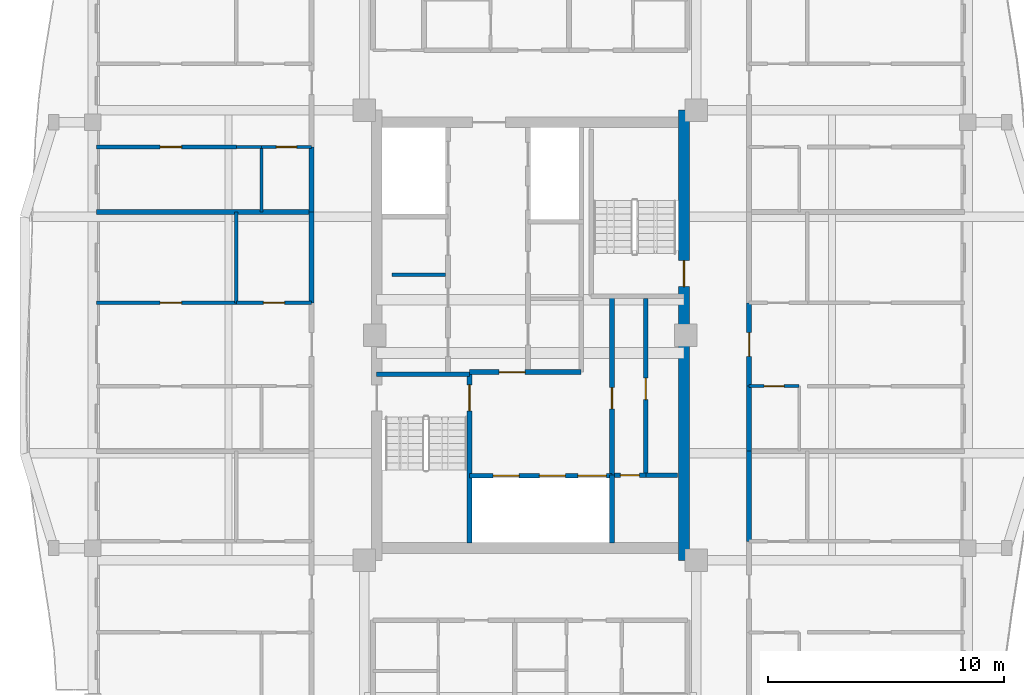
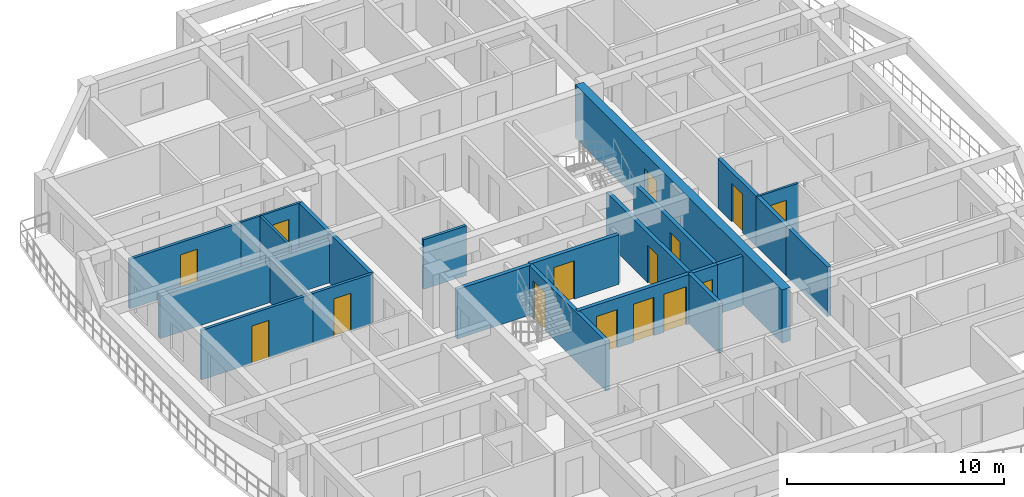
# One storey, part 4 of 14: 25 walls, 15 doors, 15 openings.
"""IFC4 building model written with IfcOpenShell, lengths in metres."""

from ifc_helpers import new_model, si_unit, direction, frame, frame_2d, origin, place, context, subcontext, project, spatial, rectangle, extrude, source, transform, mapped, material, layer, layer_set, type_object, element, fill, save


model = new_model("IFC4")

# Units and contexts
model_context = context("Model", 3, precision=1e-05, world=origin(), true_north=direction((0.0, 1.0)))
body_context = subcontext(model_context, "Body", "Model", "MODEL_VIEW")
ifc_project = project(units=[si_unit("LENGTHUNIT", "METRE"), si_unit("AREAUNIT", "SQUARE_METRE"), si_unit("VOLUMEUNIT", "CUBIC_METRE"), si_unit("PLANEANGLEUNIT", "RADIAN"), si_unit("MASSUNIT", "GRAM", prefix="KILO")], contexts=[model_context])

# Site, building, storey
site_placement = place(None, origin())
site = spatial("IfcSite", under=ifc_project, at=site_placement, CompositionType="ELEMENT")
building_placement = place(site_placement, origin())
building = spatial("IfcBuilding", under=site, at=building_placement, Name="Saelheon Loggia Tower", CompositionType="ELEMENT")
storey_placement = place(building_placement, frame((0.0, 0.0, 210.300048828125)))
storey = spatial("IfcBuildingStorey", under=building, at=storey_placement, Name="L65", CompositionType="ELEMENT", Elevation=210.300048828125)

# Wall, opening, door
ifc_material_1 = material(Name="Concrete C45/55", Category="concrete")
ifc_layer_1 = layer(ifc_material_1, 0.449951171875)
ifc_layer_set_1 = layer_set([ifc_layer_1], Name="Concrete C45/55")
wall_type_1 = type_object("IfcWallType", Name="Wall_CoreShear_450", PredefinedType="SHEAR", material=ifc_layer_set_1)
wall_1_placement = place(storey_placement, frame((44.5, 17.47998046875, 0.0), z_axis=(0.0, 0.0, 1.0), x_axis=(0.0, 1.0, 0.0)))
wall_1 = element("IfcWall", 1, at=wall_1_placement, inside=storey, type_object=wall_type_1, Name="L65 Core Shear Wall East", PredefinedType="SHEAR", context=body_context, shape_type="SweptSolid", body=[
    extrude(rectangle(XDim=19.0400390625, YDim=0.449951171875, at=frame_2d((9.52001953125, 0.0))), origin(), (0.0, 0.0, 1.0), 3.0),
])
opening_1_placement = place(wall_1_placement, frame((12.670166015625, 0.0, 0.0), z_axis=(0.0, 0.0, 1.0), x_axis=(-1.0, 0.0, 0.0)))
opening_1 = element("IfcOpeningElement", 2, at=opening_1_placement, cuts=wall_1, Name="Opening D-FD2", PredefinedType="OPENING", context=body_context, shape_type="SweptSolid", body=[
    extrude(rectangle(XDim=1.10009765625, YDim=2.14990234375, at=frame_2d((0.550048828125, 1.074951171875))), frame((0.0, 0.237060546875, 0.0), z_axis=(0.0, -1.0, 0.0), x_axis=(1.0, 0.0, 0.0)), (0.0, 0.0, 1.0), 0.473876953125),
])
ifc_material_2 = material(Name="Galvanised Steel Fire Door", Category="steel")
door_type_1 = type_object("IfcDoorType", Name="Door_Fire_FD60_1100", OperationType="NOTDEFINED", PredefinedType="DOOR", material=ifc_material_2)
shared_shape_1 = source(origin(), body_context, "Body", "SweptSolid", [
    extrude(rectangle(XDim=1.10009765625, YDim=2.14990234375, at=frame_2d((0.550048828125, 1.074951171875))), frame((0.0, 0.02490234375, 0.0), z_axis=(0.0, -1.0, 0.0), x_axis=(1.0, 0.0, 0.0)), (0.0, 0.0, 1.0), 0.050048828125),
])
door_1_placement = place(opening_1_placement, origin())
door_1 = element("IfcDoor", 3, at=door_1_placement, inside=storey, type_object=door_type_1, Name="L65 Stair ST2 Corridor Door", OperationType="SINGLE_SWING_RIGHT", OverallHeight=2.14990234375, OverallWidth=1.10009765625, PredefinedType="DOOR", context=body_context, shape_type="MappedRepresentation", body=[
    mapped(shared_shape_1, transform((0.0, 0.0, 0.0), scale=1.0)),
])
fill(opening_1, door_1)

# Walls
ifc_material_3 = material(Name="Lightweight Autoclaved Aerated Concrete Block and Acoustic Gypsum", Category="concrete")
ifc_layer_2 = layer(ifc_material_3, 0.14990234375)
ifc_layer_set_2 = layer_set([ifc_layer_2], Name="Lightweight Autoclaved Aerated Concrete Block and Acoustic Gypsum")
wall_type_2 = type_object("IfcWallType", Name="Wall_Part_150", PredefinedType="PARTITIONING", material=ifc_layer_set_2)
wall_2_placement = place(storey_placement, frame((32.14990234375, 29.550048828125, 0.0), z_axis=(0.0, 0.0, 1.0), x_axis=(1.0, 0.0, 0.0)))
element("IfcWall", 4, at=wall_2_placement, inside=storey, type_object=wall_type_2, Name="L65 Freed Core Partition PL1", PredefinedType="PARTITIONING", context=body_context, shape_type="SweptSolid", body=[
    extrude(rectangle(XDim=2.27001953125, YDim=0.14990234375, at=frame_2d((1.135009765625, 0.0))), origin(), (0.0, 0.0, 1.0), 2.7900390625),
])
wall_3_placement = place(storey_placement, frame((25.570068359375, 28.366455078125, 0.0), z_axis=(0.0, 0.0, 1.0), x_axis=(0.0, 1.0, 0.0)))
element("IfcWall", 5, at=wall_3_placement, inside=storey, type_object=wall_type_2, Name="L65 W Partition V18", PredefinedType="PARTITIONING", context=body_context, shape_type="SweptSolid", body=[
    extrude(rectangle(XDim=3.84228515625, YDim=0.14990234375, at=frame_2d((1.921142578125, 0.0))), origin(), (0.0, 0.0, 1.0), 2.489990234375),
])

# Wall, opening, door
wall_4_placement = place(storey_placement, frame((28.75, 28.366455078125, 0.0), z_axis=(0.0, 0.0, 1.0), x_axis=(-1.0, 0.0, 0.0)))
wall_4 = element("IfcWall", 6, at=wall_4_placement, inside=storey, type_object=wall_type_2, Name="L65 W Partition U22", PredefinedType="PARTITIONING", context=body_context, shape_type="SweptSolid", body=[
    extrude(rectangle(XDim=3.179931640625, YDim=0.14990234375, at=frame_2d((1.58984375, 0.0))), origin(), (0.0, 0.0, 1.0), 2.7900390625),
])
opening_2_placement = place(wall_4_placement, frame((1.139892578125, 0.0, 0.0)))
opening_2 = element("IfcOpeningElement", 7, at=opening_2_placement, cuts=wall_4, Name="Opening D-IN2", PredefinedType="OPENING", context=body_context, shape_type="SweptSolid", body=[
    extrude(rectangle(XDim=0.89990234375, YDim=2.10009765625, at=frame_2d((0.449951171875, 1.050048828125))), frame((0.0, 0.0869140625, 0.0), z_axis=(0.0, -1.0, 0.0), x_axis=(1.0, 0.0, 0.0)), (0.0, 0.0, 1.0), 0.173828125),
])
ifc_material_4 = material(Name="Engineered Oak Flush Door", Category="timber")
door_type_2 = type_object("IfcDoorType", Name="Door_Int_900", OperationType="NOTDEFINED", PredefinedType="DOOR", material=ifc_material_4)
shared_shape_2 = source(origin(), body_context, "Body", "SweptSolid", [
    extrude(rectangle(XDim=0.89990234375, YDim=2.10009765625, at=frame_2d((0.449951171875, 1.050048828125))), frame((0.0, 0.02490234375, 0.0), z_axis=(0.0, -1.0, 0.0), x_axis=(1.0, 0.0, 0.0)), (0.0, 0.0, 1.0), 0.050048828125),
])
door_2_placement = place(opening_2_placement, origin())
door_2 = element("IfcDoor", 8, at=door_2_placement, inside=storey, type_object=door_type_2, Name="Unit U06 Dressing Closet Door", OperationType="SINGLE_SWING_LEFT", OverallHeight=2.10009765625, OverallWidth=0.89990234375, PredefinedType="DOOR", context=body_context, shape_type="MappedRepresentation", body=[
    mapped(shared_shape_2, transform((0.0, 0.0, 0.0), scale=1.0)),
])
fill(opening_2, door_2)

wall_5_placement = place(storey_placement, frame((25.570068359375, 28.366455078125, 0.0), z_axis=(0.0, 0.0, 1.0), x_axis=(-1.0, 0.0, 0.0)))
wall_5 = element("IfcWall", 9, at=wall_5_placement, inside=storey, type_object=wall_type_2, Name="L65 W Partition U23", PredefinedType="PARTITIONING", context=body_context, shape_type="SweptSolid", body=[
    extrude(rectangle(XDim=5.920166015625, YDim=0.14990234375, at=frame_2d((2.9599609375, 0.0))), origin(), (0.0, 0.0, 1.0), 2.7900390625),
])
opening_3_placement = place(wall_5_placement, frame((2.32080078125, 0.0, 0.0)))
opening_3 = element("IfcOpeningElement", 10, at=opening_3_placement, cuts=wall_5, Name="Opening D-IN2", PredefinedType="OPENING", context=body_context, shape_type="SweptSolid", body=[
    extrude(rectangle(XDim=0.89990234375, YDim=2.10009765625, at=frame_2d((0.449951171875, 1.050048828125))), frame((0.0, 0.0869140625, 0.0), z_axis=(0.0, -1.0, 0.0), x_axis=(1.0, 0.0, 0.0)), (0.0, 0.0, 1.0), 0.173828125),
])
door_3_placement = place(opening_3_placement, origin())
door_3 = element("IfcDoor", 11, at=door_3_placement, inside=storey, type_object=door_type_2, Name="Unit U06 Bedroom 1 Door", OperationType="SINGLE_SWING_RIGHT", OverallHeight=2.10009765625, OverallWidth=0.89990234375, PredefinedType="DOOR", context=body_context, shape_type="MappedRepresentation", body=[
    mapped(shared_shape_2, transform((0.0, 0.0, 0.0), scale=1.0)),
])
fill(opening_3, door_3)

wall_6_placement = place(storey_placement, frame((25.570068359375, 34.958740234375, 0.0), z_axis=(0.0, 0.0, 1.0), x_axis=(-1.0, 0.0, 0.0)))
wall_6 = element("IfcWall", 12, at=wall_6_placement, inside=storey, type_object=wall_type_2, Name="L65 W Partition U32", PredefinedType="PARTITIONING", context=body_context, shape_type="SweptSolid", body=[
    extrude(rectangle(XDim=5.920166015625, YDim=0.14990234375, at=frame_2d((2.9599609375, 0.0))), origin(), (0.0, 0.0, 1.0), 2.7900390625),
])
opening_4_placement = place(wall_6_placement, frame((2.32080078125, 0.0, 0.0)))
opening_4 = element("IfcOpeningElement", 13, at=opening_4_placement, cuts=wall_6, Name="Opening D-IN2", PredefinedType="OPENING", context=body_context, shape_type="SweptSolid", body=[
    extrude(rectangle(XDim=0.89990234375, YDim=2.10009765625, at=frame_2d((0.449951171875, 1.050048828125))), frame((0.0, 0.0869140625, 0.0), z_axis=(0.0, -1.0, 0.0), x_axis=(1.0, 0.0, 0.0)), (0.0, 0.0, 1.0), 0.173828125),
])
door_4_placement = place(opening_4_placement, origin())
door_4 = element("IfcDoor", 14, at=door_4_placement, inside=storey, type_object=door_type_2, Name="Unit U07 Kitchen Door", OperationType="SINGLE_SWING_LEFT", OverallHeight=2.10009765625, OverallWidth=0.89990234375, PredefinedType="DOOR", context=body_context, shape_type="MappedRepresentation", body=[
    mapped(shared_shape_2, transform((0.0, 0.0, 0.0), scale=1.0)),
])
fill(opening_4, door_4)

# Walls
ifc_material_5 = material(Name="Double Acoustic Stud and Fireboard Partition", Category="gypsum")
ifc_layer_3 = layer(ifc_material_5, 0.199951171875)
ifc_layer_set_3 = layer_set([ifc_layer_3], Name="Double Acoustic Stud and Fireboard Partition")
wall_type_3 = type_object("IfcWallType", Name="Wall_Party_200", PredefinedType="PARTITIONING", material=ifc_layer_set_3)
wall_7_placement = place(storey_placement, frame((28.75, 28.366455078125, 0.0), z_axis=(0.0, 0.0, 1.0), x_axis=(0.0, 1.0, 0.0)))
element("IfcWall", 15, at=wall_7_placement, inside=storey, type_object=wall_type_3, Name="L65 W Partition V16", PredefinedType="PARTITIONING", context=body_context, shape_type="SweptSolid", body=[
    extrude(rectangle(XDim=3.84228515625, YDim=0.199951171875, at=frame_2d((1.921142578125, 0.0))), origin(), (0.0, 0.0, 1.0), 2.7900390625),
])
wall_8_placement = place(storey_placement, frame((28.75, 32.208740234375, 0.0), z_axis=(0.0, 0.0, 1.0), x_axis=(-1.0, 0.0, 0.0)))
element("IfcWall", 16, at=wall_8_placement, inside=storey, type_object=wall_type_3, Name="L65 W Partition U24", PredefinedType="PARTITIONING", context=body_context, shape_type="SweptSolid", body=[
    extrude(rectangle(XDim=9.10009765625, YDim=0.199951171875, at=frame_2d((4.550048828125, 0.0))), origin(), (0.0, 0.0, 1.0), 2.389892578125),
])
wall_9_placement = place(storey_placement, frame((28.75, 32.208740234375, 0.0), z_axis=(0.0, 0.0, 1.0), x_axis=(0.0, 1.0, 0.0)))
element("IfcWall", 17, at=wall_9_placement, inside=storey, type_object=wall_type_3, Name="L65 W Partition V25", PredefinedType="PARTITIONING", context=body_context, shape_type="SweptSolid", body=[
    extrude(rectangle(XDim=2.75, YDim=0.199951171875, at=frame_2d((1.375, 0.0))), origin(), (0.0, 0.0, 1.0), 2.7900390625),
])
wall_10_placement = place(storey_placement, frame((47.25, 18.280029296875, 0.0), z_axis=(0.0, 0.0, 1.0), x_axis=(0.0, 1.0, 0.0)))
element("IfcWall", 18, at=wall_10_placement, inside=storey, type_object=wall_type_3, Name="L65 E Partition V05", PredefinedType="PARTITIONING", context=body_context, shape_type="SweptSolid", body=[
    extrude(rectangle(XDim=3.817626953125, YDim=0.199951171875, at=frame_2d((1.90869140625, 0.0))), origin(), (0.0, 0.0, 1.0), 2.7900390625),
])
wall_11_placement = place(storey_placement, frame((47.25, 22.09765625, 0.0), z_axis=(0.0, 0.0, 1.0), x_axis=(0.0, 1.0, 0.0)))
element("IfcWall", 19, at=wall_11_placement, inside=storey, type_object=wall_type_3, Name="L65 E Partition V13", PredefinedType="PARTITIONING", context=body_context, shape_type="SweptSolid", body=[
    extrude(rectangle(XDim=2.75, YDim=0.199951171875, at=frame_2d((1.375, 0.0))), origin(), (0.0, 0.0, 1.0), 2.7900390625),
])

# Wall, opening, door
wall_12_placement = place(storey_placement, frame((47.25, 24.84765625, 0.0), z_axis=(0.0, 0.0, 1.0), x_axis=(0.0, 1.0, 0.0)))
wall_12 = element("IfcWall", 20, at=wall_12_placement, inside=storey, type_object=wall_type_3, Name="L65 E Partition V14", PredefinedType="PARTITIONING", context=body_context, shape_type="SweptSolid", body=[
    extrude(rectangle(XDim=3.518798828125, YDim=0.199951171875, at=frame_2d((1.75927734375, 0.0))), origin(), (0.0, 0.0, 1.0), 2.7900390625),
])
opening_5_placement = place(wall_12_placement, frame((1.259521484375, 0.0, 0.0)))
opening_5 = element("IfcOpeningElement", 21, at=opening_5_placement, cuts=wall_12, Name="Opening D-FD1", PredefinedType="OPENING", context=body_context, shape_type="SweptSolid", body=[
    extrude(rectangle(XDim=1.0, YDim=2.14990234375, at=frame_2d((0.5, 1.074951171875))), frame((0.0, 0.112060546875, 0.0), z_axis=(0.0, -1.0, 0.0), x_axis=(1.0, 0.0, 0.0)), (0.0, 0.0, 1.0), 0.223876953125),
])
ifc_material_6 = material(Name="Fire-Rated Engineered Timber Entrance Door", Category="wood")
door_type_3 = type_object("IfcDoorType", Name="Door_Flat_FD30S", OperationType="NOTDEFINED", PredefinedType="DOOR", material=ifc_material_6)
shared_shape_3 = source(origin(), body_context, "Body", "SweptSolid", [
    extrude(rectangle(XDim=1.0, YDim=2.14990234375, at=frame_2d((0.5, 1.074951171875))), frame((0.0, 0.02490234375, 0.0), z_axis=(0.0, -1.0, 0.0), x_axis=(1.0, 0.0, 0.0)), (0.0, 0.0, 1.0), 0.050048828125),
])
door_5_placement = place(opening_5_placement, origin())
door_5 = element("IfcDoor", 22, at=door_5_placement, inside=storey, type_object=door_type_3, Name="Unit U09 Entrance Door", OperationType="SINGLE_SWING_LEFT", OverallHeight=2.14990234375, OverallWidth=1.0, PredefinedType="DOOR", context=body_context, shape_type="MappedRepresentation", body=[
    mapped(shared_shape_3, transform((0.0, 0.0, 0.0), scale=1.0)),
])
fill(opening_5, door_5)

ifc_material_7 = material(Name="Concrete C40/50", Category="concrete")
ifc_layer_4 = layer(ifc_material_7, 0.199951171875)
ifc_layer_set_4 = layer_set([ifc_layer_4], Name="Concrete C40/50")
wall_type_4 = type_object("IfcWallType", Name="Wall_Shaft_200", PredefinedType="PARTITIONING", material=ifc_layer_set_4)
wall_13_placement = place(storey_placement, frame((41.550048828125, 21.080078125, 0.0), z_axis=(0.0, 0.0, 1.0), x_axis=(1.0, 0.0, 0.0)))
wall_13 = element("IfcWall", 23, at=wall_13_placement, inside=storey, type_object=wall_type_4, Name="CW-BOH-L65-HS", PredefinedType="PARTITIONING", context=body_context, shape_type="SweptSolid", body=[
    extrude(rectangle(XDim=1.329833984375, YDim=0.199951171875, at=frame_2d((0.6650390625, 0.0))), origin(), (0.0, 0.0, 1.0), 2.7900390625),
])
opening_6_placement = place(wall_13_placement, frame((0.260009765625, 0.0, 0.0)))
opening_6 = element("IfcOpeningElement", 24, at=opening_6_placement, cuts=wall_13, Name="Opening D-ST1", PredefinedType="OPENING", context=body_context, shape_type="SweptSolid", body=[
    extrude(rectangle(XDim=0.800048828125, YDim=2.050048828125, at=frame_2d((0.39990234375, 1.02490234375))), frame((0.0, 0.112060546875, 0.0), z_axis=(0.0, -1.0, 0.0), x_axis=(1.0, 0.0, 0.0)), (0.0, 0.0, 1.0), 0.223876953125),
])
ifc_material_8 = material(Name="Powder-Coated Steel Store Door", Category="steel")
door_type_4 = type_object("IfcDoorType", Name="Door_Store_800", OperationType="NOTDEFINED", PredefinedType="DOOR", material=ifc_material_8)
shared_shape_4 = source(origin(), body_context, "Body", "SweptSolid", [
    extrude(rectangle(XDim=0.800048828125, YDim=2.050048828125, at=frame_2d((0.39990234375, 1.02490234375))), frame((0.0, 0.02490234375, 0.0), z_axis=(0.0, -1.0, 0.0), x_axis=(1.0, 0.0, 0.0)), (0.0, 0.0, 1.0), 0.050048828125),
])
door_6_placement = place(opening_6_placement, origin())
door_6 = element("IfcDoor", 25, at=door_6_placement, inside=storey, type_object=door_type_4, Name="L65 Electrical Riser Door", OperationType="SINGLE_SWING_RIGHT", OverallHeight=2.050048828125, OverallWidth=0.800048828125, PredefinedType="DOOR", context=body_context, shape_type="MappedRepresentation", body=[
    mapped(shared_shape_4, transform((0.0, 0.0, 0.0), scale=1.0)),
])
fill(opening_6, door_6)

# Wall
wall_14_placement = place(storey_placement, frame((42.8798828125, 21.080078125, 0.0), z_axis=(0.0, 0.0, 1.0), x_axis=(1.0, 0.0, 0.0)))
element("IfcWall", 26, at=wall_14_placement, inside=storey, type_object=wall_type_4, Name="CW-BOH-L65-HS2", PredefinedType="PARTITIONING", context=body_context, shape_type="SweptSolid", body=[
    extrude(rectangle(XDim=1.340087890625, YDim=0.199951171875, at=frame_2d((0.669921875, 0.0))), origin(), (0.0, 0.0, 1.0), 2.7900390625),
])

# Wall, opening, door
wall_15_placement = place(storey_placement, frame((42.8798828125, 21.080078125, 0.0), z_axis=(0.0, 0.0, 1.0), x_axis=(0.0, 1.0, 0.0)))
wall_15 = element("IfcWall", 27, at=wall_15_placement, inside=storey, type_object=wall_type_4, Name="CW-BOH-L65-VS", PredefinedType="PARTITIONING", context=body_context, shape_type="SweptSolid", body=[
    extrude(rectangle(XDim=7.469970703125, YDim=0.199951171875, at=frame_2d((3.73486328125, 0.0))), origin(), (0.0, 0.0, 1.0), 2.7900390625),
])
opening_7_placement = place(wall_15_placement, frame((3.199951171875, 0.0, 0.0)))
opening_7 = element("IfcOpeningElement", 28, at=opening_7_placement, cuts=wall_15, Name="Opening D-RS1", PredefinedType="OPENING", context=body_context, shape_type="SweptSolid", body=[
    extrude(rectangle(XDim=0.89990234375, YDim=2.10009765625, at=frame_2d((0.449951171875, 1.050048828125))), frame((0.0, 0.112060546875, 0.0), z_axis=(0.0, -1.0, 0.0), x_axis=(1.0, 0.0, 0.0)), (0.0, 0.0, 1.0), 0.223876953125),
])
ifc_material_9 = material(Name="Galvanised Steel Riser Access Door", Category="steel")
door_type_5 = type_object("IfcDoorType", Name="Door_Riser_FD60", OperationType="NOTDEFINED", PredefinedType="DOOR", material=ifc_material_9)
door_7_placement = place(opening_7_placement, origin())
door_7 = element("IfcDoor", 29, at=door_7_placement, inside=storey, type_object=door_type_5, Name="L65 Linen Store Door", OperationType="SINGLE_SWING_LEFT", OverallHeight=2.10009765625, OverallWidth=0.89990234375, PredefinedType="DOOR", context=body_context, shape_type="MappedRepresentation", body=[
    mapped(shared_shape_2, transform((0.0, 0.0, 0.0), scale=1.0)),
])
fill(opening_7, door_7)

# Wall
wall_16_placement = place(storey_placement, frame((41.449951171875, 18.219970703125, 0.0), z_axis=(0.0, 0.0, 1.0), x_axis=(0.0, 1.0, 0.0)))
element("IfcWall", 30, at=wall_16_placement, inside=storey, type_object=wall_type_4, Name="CW-INT-L65-BOH-W0", PredefinedType="PARTITIONING", context=body_context, shape_type="SweptSolid", body=[
    extrude(rectangle(XDim=2.860107421875, YDim=0.199951171875, at=frame_2d((1.43017578125, 0.0))), origin(), (0.0, 0.0, 1.0), 2.7900390625),
])

# Wall, opening, door
wall_17_placement = place(storey_placement, frame((41.449951171875, 21.080078125, 0.0), z_axis=(0.0, 0.0, 1.0), x_axis=(0.0, 1.0, 0.0)))
wall_17 = element("IfcWall", 31, at=wall_17_placement, inside=storey, type_object=wall_type_4, Name="CW-INT-L65-BOH-W1", PredefinedType="PARTITIONING", context=body_context, shape_type="SweptSolid", body=[
    extrude(rectangle(XDim=7.52001953125, YDim=0.199951171875, at=frame_2d((3.760009765625, 0.0))), origin(), (0.0, 0.0, 1.0), 2.7900390625),
])
opening_8_placement = place(wall_17_placement, frame((2.800048828125, 0.0, 0.0)))
opening_8 = element("IfcOpeningElement", 32, at=opening_8_placement, cuts=wall_17, Name="Opening D-RS1", PredefinedType="OPENING", context=body_context, shape_type="SweptSolid", body=[
    extrude(rectangle(XDim=0.89990234375, YDim=2.10009765625, at=frame_2d((0.449951171875, 1.050048828125))), frame((0.0, 0.112060546875, 0.0), z_axis=(0.0, -1.0, 0.0), x_axis=(1.0, 0.0, 0.0)), (0.0, 0.0, 1.0), 0.223876953125),
])
door_8_placement = place(opening_8_placement, origin())
door_8 = element("IfcDoor", 33, at=door_8_placement, inside=storey, type_object=door_type_5, Name="L65 Service Store Door", OperationType="SINGLE_SWING_RIGHT", OverallHeight=2.10009765625, OverallWidth=0.89990234375, PredefinedType="DOOR", context=body_context, shape_type="MappedRepresentation", body=[
    mapped(shared_shape_2, transform((0.0, 0.0, 0.0), scale=1.0)),
])
fill(opening_8, door_8)

# Wall, openings, doors
wall_18_placement = place(storey_placement, frame((35.429931640625, 21.06005859375, 0.0), z_axis=(0.0, 0.0, 1.0), x_axis=(1.0, 0.0, 0.0)))
wall_18 = element("IfcWall", 34, at=wall_18_placement, inside=storey, type_object=wall_type_4, Name="L65 Firefighting Lift Shaft Front Wall", PredefinedType="PARTITIONING", context=body_context, shape_type="SweptSolid", body=[
    extrude(rectangle(XDim=6.02001953125, YDim=0.199951171875, at=frame_2d((3.010009765625, 0.0))), origin(), (0.0, 0.0, 1.0), 2.7900390625),
])
opening_9_placement = place(wall_18_placement, frame((1.0, 0.0, 0.0)))
opening_9 = element("IfcOpeningElement", 35, at=opening_9_placement, cuts=wall_18, Name="Opening LD2", PredefinedType="OPENING", context=body_context, shape_type="SweptSolid", body=[
    extrude(rectangle(XDim=1.10009765625, YDim=2.14990234375, at=frame_2d((0.550048828125, 1.074951171875))), frame((0.0, 0.112060546875, 0.0), z_axis=(0.0, -1.0, 0.0), x_axis=(1.0, 0.0, 0.0)), (0.0, 0.0, 1.0), 0.223876953125),
])
opening_10_placement = place(wall_18_placement, frame((2.949951171875, 0.0, 0.0)))
opening_10 = element("IfcOpeningElement", 36, at=opening_10_placement, cuts=wall_18, Name="Opening LD2", PredefinedType="OPENING", context=body_context, shape_type="SweptSolid", body=[
    extrude(rectangle(XDim=1.10009765625, YDim=2.14990234375, at=frame_2d((0.550048828125, 1.074951171875))), frame((0.0, 0.112060546875, 0.0), z_axis=(0.0, -1.0, 0.0), x_axis=(1.0, 0.0, 0.0)), (0.0, 0.0, 1.0), 0.223876953125),
])
opening_11_placement = place(wall_18_placement, frame((4.580078125, 0.0, 0.0)))
opening_11 = element("IfcOpeningElement", 37, at=opening_11_placement, cuts=wall_18, Name="Opening LD3", PredefinedType="OPENING", context=body_context, shape_type="SweptSolid", body=[
    extrude(rectangle(XDim=1.199951171875, YDim=2.14990234375, at=frame_2d((0.60009765625, 1.074951171875))), frame((0.0, 0.112060546875, 0.0), z_axis=(0.0, -1.0, 0.0), x_axis=(1.0, 0.0, 0.0)), (0.0, 0.0, 1.0), 0.223876953125),
])
ifc_material_10 = material(Name="Firefighting Stainless Steel 316 Landing Door", Category="steel")
door_type_6 = type_object("IfcDoorType", Name="Door_Lift_LD2", OperationType="DOUBLE_DOOR_SLIDING", PredefinedType="DOOR", material=ifc_material_10)
door_9_placement = place(opening_9_placement, origin())
door_9 = element("IfcDoor", 38, at=door_9_placement, inside=storey, type_object=door_type_6, Name="L65 FF1 Landing Door", OperationType="DOUBLE_DOOR_SLIDING", OverallHeight=2.14990234375, OverallWidth=1.10009765625, PredefinedType="DOOR", context=body_context, shape_type="MappedRepresentation", body=[
    mapped(shared_shape_1, transform((0.0, 0.0, 0.0), scale=1.0)),
])
fill(opening_9, door_9)
door_10_placement = place(opening_10_placement, origin())
door_10 = element("IfcDoor", 39, at=door_10_placement, inside=storey, type_object=door_type_6, Name="L65 FF2 Landing Door", OperationType="DOUBLE_DOOR_SLIDING", OverallHeight=2.14990234375, OverallWidth=1.10009765625, PredefinedType="DOOR", context=body_context, shape_type="MappedRepresentation", body=[
    mapped(shared_shape_1, transform((0.0, 0.0, 0.0), scale=1.0)),
])
fill(opening_10, door_10)
ifc_material_11 = material(Name="Stretcher Lift Stainless Steel 304 Landing Door", Category="steel")
door_type_7 = type_object("IfcDoorType", Name="Door_Lift_LD3", OperationType="DOUBLE_DOOR_SLIDING", PredefinedType="DOOR", material=ifc_material_11)
shared_shape_5 = source(origin(), body_context, "Body", "SweptSolid", [
    extrude(rectangle(XDim=1.199951171875, YDim=2.14990234375, at=frame_2d((0.60009765625, 1.074951171875))), frame((0.0, 0.02490234375, 0.0), z_axis=(0.0, -1.0, 0.0), x_axis=(1.0, 0.0, 0.0)), (0.0, 0.0, 1.0), 0.050048828125),
])
door_11_placement = place(opening_11_placement, origin())
door_11 = element("IfcDoor", 40, at=door_11_placement, inside=storey, type_object=door_type_7, Name="L65 SV1 Landing Door", OperationType="DOUBLE_DOOR_SLIDING", OverallHeight=2.14990234375, OverallWidth=1.199951171875, PredefinedType="DOOR", context=body_context, shape_type="MappedRepresentation", body=[
    mapped(shared_shape_5, transform((0.0, 0.0, 0.0), scale=1.0)),
])
fill(opening_11, door_11)

# Wall, opening, door
wall_19_placement = place(storey_placement, frame((35.429931640625, 25.43994140625, 0.0), z_axis=(0.0, 0.0, 1.0), x_axis=(1.0, 0.0, 0.0)))
wall_19 = element("IfcWall", 41, at=wall_19_placement, inside=storey, type_object=wall_type_4, Name="L65 Firefighting Lobby Compartment Wall", PredefinedType="PARTITIONING", context=body_context, shape_type="SweptSolid", body=[
    extrude(rectangle(XDim=4.719970703125, YDim=0.199951171875, at=frame_2d((2.35986328125, 0.0))), origin(), (0.0, 0.0, 1.0), 2.7900390625),
])
opening_12_placement = place(wall_19_placement, frame((1.25, 0.0, 0.0)))
opening_12 = element("IfcOpeningElement", 42, at=opening_12_placement, cuts=wall_19, Name="Opening D-FD2", PredefinedType="OPENING", context=body_context, shape_type="SweptSolid", body=[
    extrude(rectangle(XDim=1.10009765625, YDim=2.14990234375, at=frame_2d((0.550048828125, 1.074951171875))), frame((0.0, 0.112060546875, 0.0), z_axis=(0.0, -1.0, 0.0), x_axis=(1.0, 0.0, 0.0)), (0.0, 0.0, 1.0), 0.223876953125),
])
door_12_placement = place(opening_12_placement, origin())
door_12 = element("IfcDoor", 43, at=door_12_placement, inside=storey, type_object=door_type_1, Name="L65 Firefighting Lobby Door", OperationType="SINGLE_SWING_LEFT", OverallHeight=2.14990234375, OverallWidth=1.10009765625, PredefinedType="DOOR", context=body_context, shape_type="MappedRepresentation", body=[
    mapped(shared_shape_1, transform((0.0, 0.0, 0.0), scale=1.0)),
])
fill(opening_12, door_12)

ifc_layer_5 = layer(ifc_material_1, 0.199951171875)
ifc_layer_set_5 = layer_set([ifc_layer_5], Name="Concrete C45/55")
wall_type_5 = type_object("IfcWallType", Name="Wall_StairShaft_RC200", PredefinedType="SOLIDWALL", material=ifc_layer_set_5)
wall_20_placement = place(storey_placement, frame((35.429931640625, 18.219970703125, 0.0), z_axis=(0.0, 0.0, 1.0), x_axis=(0.0, 1.0, 0.0)))
wall_20 = element("IfcWall", 44, at=wall_20_placement, inside=storey, type_object=wall_type_5, Name="L65 Stair ST1 Shaft Wall", PredefinedType="SOLIDWALL", context=body_context, shape_type="SweptSolid", body=[
    extrude(rectangle(XDim=7.219970703125, YDim=0.199951171875, at=frame_2d((3.60986328125, 0.0))), origin(), (0.0, 0.0, 1.0), 2.7900390625),
])
opening_13_placement = place(wall_20_placement, frame((6.68017578125, 0.0, 0.0), z_axis=(0.0, 0.0, 1.0), x_axis=(-1.0, 0.0, 0.0)))
opening_13 = element("IfcOpeningElement", 45, at=opening_13_placement, cuts=wall_20, Name="Opening D-FD2", PredefinedType="OPENING", context=body_context, shape_type="SweptSolid", body=[
    extrude(rectangle(XDim=1.10009765625, YDim=2.14990234375, at=frame_2d((0.550048828125, 1.074951171875))), frame((0.0, 0.112060546875, 0.0), z_axis=(0.0, -1.0, 0.0), x_axis=(1.0, 0.0, 0.0)), (0.0, 0.0, 1.0), 0.223876953125),
])
door_13_placement = place(opening_13_placement, origin())
door_13 = element("IfcDoor", 46, at=door_13_placement, inside=storey, type_object=door_type_1, Name="L65 Stair ST1 Lobby Door", OperationType="SINGLE_SWING_RIGHT", OverallHeight=2.14990234375, OverallWidth=1.10009765625, PredefinedType="DOOR", context=body_context, shape_type="MappedRepresentation", body=[
    mapped(shared_shape_1, transform((0.0, 0.0, 0.0), scale=1.0)),
])
fill(opening_13, door_13)

# Walls
wall_21_placement = place(storey_placement, frame((31.5, 25.35009765625, 0.0), z_axis=(0.0, 0.0, 1.0), x_axis=(1.0, 0.0, 0.0)))
element("IfcWall", 47, at=wall_21_placement, inside=storey, type_object=wall_type_5, Name="L65 Stair ST1 North Wall", PredefinedType="SOLIDWALL", context=body_context, shape_type="SweptSolid", body=[
    extrude(rectangle(XDim=3.929931640625, YDim=0.199951171875, at=frame_2d((1.96484375, 0.0))), origin(), (0.0, 0.0, 1.0), 2.7900390625),
])
ifc_material_12 = material(Name="Moisture-Resistant Cement Board Partition", Category="gypsum")
ifc_layer_6 = layer(ifc_material_12, 0.1201171875)
ifc_layer_set_6 = layer_set([ifc_layer_6], Name="Moisture-Resistant Cement Board Partition")
wall_type_6 = type_object("IfcWallType", Name="Wall_WetPart_120", PredefinedType="PARTITIONING", material=ifc_layer_set_6)
wall_22_placement = place(storey_placement, frame((26.6298828125, 32.208740234375, 0.0), z_axis=(0.0, 0.0, 1.0), x_axis=(0.0, 1.0, 0.0)))
element("IfcWall", 48, at=wall_22_placement, inside=storey, type_object=wall_type_6, Name="L65 W Partition V28", PredefinedType="PARTITIONING", context=body_context, shape_type="SweptSolid", body=[
    extrude(rectangle(XDim=2.75, YDim=0.1201171875, at=frame_2d((1.375, 0.0))), origin(), (0.0, 0.0, 1.0), 2.7900390625),
])

# Wall, opening, door
wall_23_placement = place(storey_placement, frame((28.75, 34.958740234375, 0.0), z_axis=(0.0, 0.0, 1.0), x_axis=(-1.0, 0.0, 0.0)))
wall_23 = element("IfcWall", 49, at=wall_23_placement, inside=storey, type_object=wall_type_6, Name="L65 W Partition U30", PredefinedType="PARTITIONING", context=body_context, shape_type="SweptSolid", body=[
    extrude(rectangle(XDim=2.1201171875, YDim=0.1201171875, at=frame_2d((1.06005859375, 0.0))), origin(), (0.0, 0.0, 1.0), 2.7900390625),
])
opening_14_placement = place(wall_23_placement, frame((0.635009765625, 0.0, 0.0)))
opening_14 = element("IfcOpeningElement", 50, at=opening_14_placement, cuts=wall_23, Name="Opening D-BT1", PredefinedType="OPENING", context=body_context, shape_type="SweptSolid", body=[
    extrude(rectangle(XDim=0.85009765625, YDim=2.050048828125, at=frame_2d((0.425048828125, 1.02490234375))), frame((0.0, 0.072021484375, 0.0), z_axis=(0.0, -1.0, 0.0), x_axis=(1.0, 0.0, 0.0)), (0.0, 0.0, 1.0), 0.14404296875),
])
ifc_material_13 = material(Name="Moisture-Resistant Laminate Timber Door", Category="wood")
door_type_8 = type_object("IfcDoorType", Name="Door_Bath_850", OperationType="NOTDEFINED", PredefinedType="DOOR", material=ifc_material_13)
shared_shape_6 = source(origin(), body_context, "Body", "SweptSolid", [
    extrude(rectangle(XDim=0.85009765625, YDim=2.050048828125, at=frame_2d((0.425048828125, 1.02490234375))), frame((0.0, 0.02490234375, 0.0), z_axis=(0.0, -1.0, 0.0), x_axis=(1.0, 0.0, 0.0)), (0.0, 0.0, 1.0), 0.050048828125),
])
door_14_placement = place(opening_14_placement, origin())
door_14 = element("IfcDoor", 51, at=door_14_placement, inside=storey, type_object=door_type_8, Name="Unit U07 Bathroom Door", OperationType="SINGLE_SWING_RIGHT", OverallHeight=2.050048828125, OverallWidth=0.85009765625, PredefinedType="DOOR", context=body_context, shape_type="MappedRepresentation", body=[
    mapped(shared_shape_6, transform((0.0, 0.0, 0.0), scale=1.0)),
])
fill(opening_14, door_14)

# Wall
wall_24_placement = place(storey_placement, frame((26.6298828125, 34.958740234375, 0.0), z_axis=(0.0, 0.0, 1.0), x_axis=(-1.0, 0.0, 0.0)))
element("IfcWall", 52, at=wall_24_placement, inside=storey, type_object=wall_type_6, Name="L65 W Partition U31", PredefinedType="PARTITIONING", context=body_context, shape_type="SweptSolid", body=[
    extrude(rectangle(XDim=1.059814453125, YDim=0.1201171875, at=frame_2d((0.52978515625, 0.0))), origin(), (0.0, 0.0, 1.0), 2.7900390625),
])

# Wall, opening, door
wall_25_placement = place(storey_placement, frame((47.25, 24.84765625, 0.0), z_axis=(0.0, 0.0, 1.0), x_axis=(1.0, 0.0, 0.0)))
wall_25 = element("IfcWall", 53, at=wall_25_placement, inside=storey, type_object=wall_type_6, Name="L65 E Partition U18", PredefinedType="PARTITIONING", context=body_context, shape_type="SweptSolid", body=[
    extrude(rectangle(XDim=2.1201171875, YDim=0.1201171875, at=frame_2d((1.06005859375, 0.0))), origin(), (0.0, 0.0, 1.0), 2.7900390625),
])
opening_15_placement = place(wall_25_placement, frame((0.635009765625, 0.0, 0.0)))
opening_15 = element("IfcOpeningElement", 54, at=opening_15_placement, cuts=wall_25, Name="Opening D-BT1", PredefinedType="OPENING", context=body_context, shape_type="SweptSolid", body=[
    extrude(rectangle(XDim=0.85009765625, YDim=2.050048828125, at=frame_2d((0.425048828125, 1.02490234375))), frame((0.0, 0.072021484375, 0.0), z_axis=(0.0, -1.0, 0.0), x_axis=(1.0, 0.0, 0.0)), (0.0, 0.0, 1.0), 0.14404296875),
])
door_15_placement = place(opening_15_placement, origin())
door_15 = element("IfcDoor", 55, at=door_15_placement, inside=storey, type_object=door_type_8, Name="Unit U09 Bathroom Door", OperationType="SINGLE_SWING_RIGHT", OverallHeight=2.050048828125, OverallWidth=0.85009765625, PredefinedType="DOOR", context=body_context, shape_type="MappedRepresentation", body=[
    mapped(shared_shape_6, transform((0.0, 0.0, 0.0), scale=1.0)),
])
fill(opening_15, door_15)

save(model, "model.ifc")
